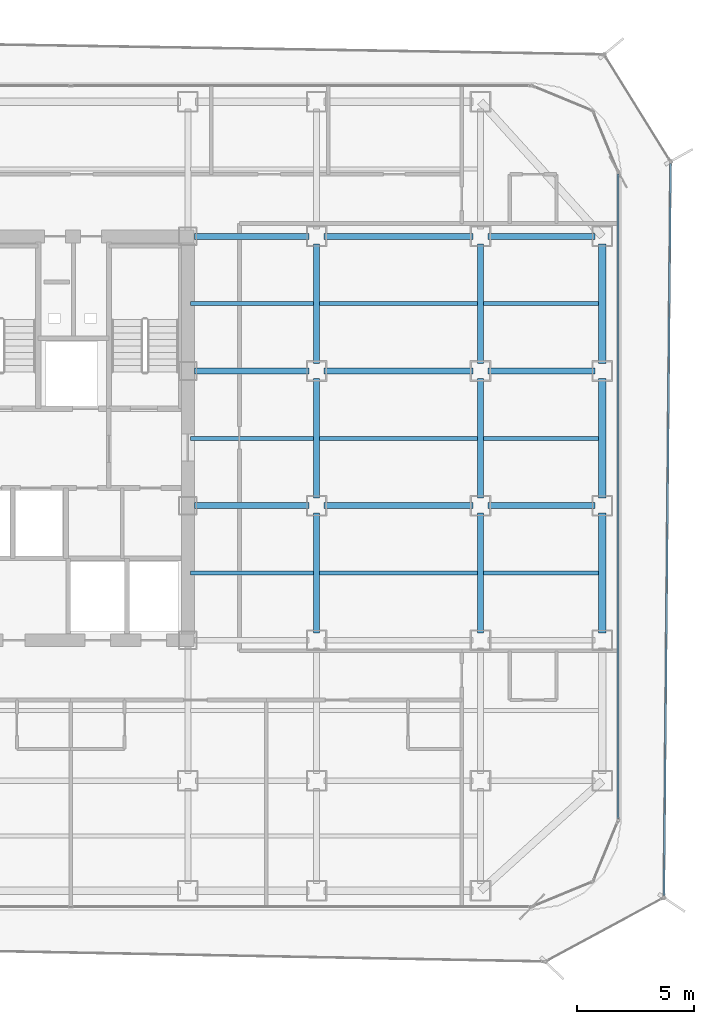
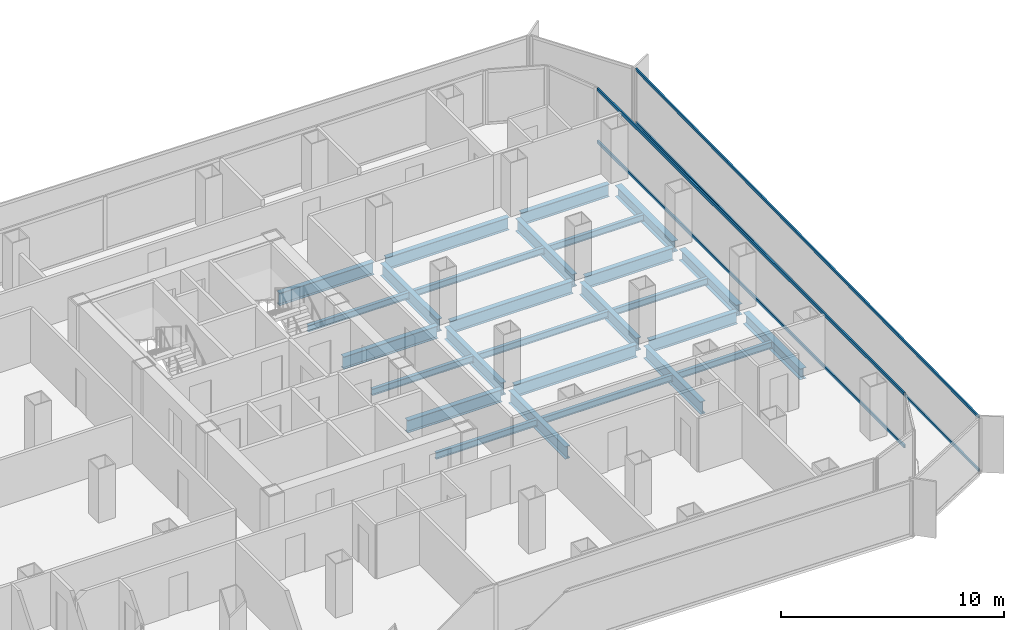
# One storey, part 9 of 21: 27 beams, 4 members, 2 elements without a shape of their own.
"""IFC4 building model written with IfcOpenShell, lengths in metres."""

from ifc_helpers import new_model, si_unit, direction, frame, origin, origin_2d, place, context, subcontext, project, spatial, hollow_rectangle, i_section, extrude, source, transform, mapped, material, layer, layer_set, material_profile, profile_set, type_object, element, aggregate, save


model = new_model("IFC4")

# Units and contexts
model_context = context("Model", 3, precision=1e-05, world=origin(), true_north=direction((0.0, 1.0)))
body_context = subcontext(model_context, "Body", "Model", "MODEL_VIEW")
ifc_project = project(units=[si_unit("LENGTHUNIT", "METRE"), si_unit("AREAUNIT", "SQUARE_METRE"), si_unit("VOLUMEUNIT", "CUBIC_METRE"), si_unit("PLANEANGLEUNIT", "RADIAN"), si_unit("MASSUNIT", "GRAM", prefix="KILO")], contexts=[model_context])

# Site, building, storey
site_placement = place(None, origin())
site = spatial("IfcSite", under=ifc_project, at=site_placement, CompositionType="ELEMENT")
building_placement = place(site_placement, origin())
building = spatial("IfcBuilding", under=site, at=building_placement, Name="Kolveth Station Tower", CompositionType="ELEMENT")
storey_placement = place(building_placement, frame((0.0, 0.0, 95.89990234375)))
storey = spatial("IfcBuildingStorey", under=building, at=storey_placement, Name="L25", CompositionType="ELEMENT", Elevation=95.89990234375)

# Beams
ifc_material_1 = material(Name="Steel S355", Category="steel")
ifc_material_profile_1 = material_profile(ifc_material_1, i_section(OverallWidth=0.323974609375, OverallDepth=0.611083984375, WebThickness=0.0126953125, FlangeThickness=0.01904296875, at=origin_2d()), Name="W610x155")
ifc_profile_set_1 = profile_set([ifc_material_profile_1], Name="Steel S355")
beam_type_1 = type_object("IfcBeamType", Name="Beam_SP2", PredefinedType="SPANDREL", material=ifc_profile_set_1)
shared_shape_1 = source(origin(), body_context, "Body", "SweptSolid", [
    extrude(i_section(OverallWidth=0.323974609375, OverallDepth=0.611083984375, WebThickness=0.0126953125, FlangeThickness=0.01904296875, at=origin_2d()), origin(), (0.0, 0.0, 1.0), 5.10986328125),
])
for number, where, z_axis, x_axis, name in (
    (1, (46.199951171875, 11.820068359375, -0.555419921875), (0.0, 1.0, 0.0), (-1.0, 0.0, 0.0), "L25 Perimeter Spandrel BM-L25-PE-2"),
    (2, (46.199951171875, 17.570068359375, -0.555419921875), (0.0, 1.0, 0.0), (-1.0, 0.0, 0.0), "L25 Perimeter Spandrel BM-L25-PE-3"),
    (3, (46.199951171875, 23.320068359375, -0.555419921875), (0.0, 1.0, 0.0), (-1.0, 0.0, 0.0), "L25 Perimeter Spandrel BM-L25-PE-4"),
):
    element("IfcBeam", number, at=place(storey_placement, frame(where, z_axis=z_axis, x_axis=x_axis)), inside=storey, type_object=beam_type_1, Name=name, PredefinedType="SPANDREL", context=body_context, shape_type="MappedRepresentation", body=[
        mapped(shared_shape_1, transform((0.0, 0.0, 0.0), x_axis=(1.0, 0.0, 0.0), y_axis=(0.0, 1.0, 0.0), z_axis=(0.0, 0.0, 1.0), scale=1.0)),
    ])
ifc_material_profile_2 = material_profile(ifc_material_1, i_section(OverallWidth=0.25390625, OverallDepth=0.68798828125, WebThickness=0.01318359375, FlangeThickness=0.02099609375, at=origin_2d()), Name="W690x152")
ifc_profile_set_2 = profile_set([ifc_material_profile_2], Name="Steel S355")
beam_type_2 = type_object("IfcBeamType", Name="Beam_B4", PredefinedType="BEAM", material=ifc_profile_set_2)
shared_shape_2 = source(origin(), body_context, "Body", "SweptSolid", [
    extrude(i_section(OverallWidth=0.25390625, OverallDepth=0.68798828125, WebThickness=0.01318359375, FlangeThickness=0.02099609375, at=origin_2d()), origin(), (0.0, 0.0, 1.0), 4.559814453125),
])
for number, where, z_axis, x_axis, name in (
    (4, (41.320068359375, 17.25, -0.593994140625), (1.0, 0.0, 0.0), (0.0, 1.0, 0.0), "L25 Primary Girder BM-L25-GY172-7"),
    (5, (41.320068359375, 23.0, -0.593994140625), (1.0, 0.0, 0.0), (0.0, 1.0, 0.0), "L25 Primary Girder BM-L25-GY230-7"),
    (6, (41.320068359375, 28.75, -0.593994140625), (1.0, 0.0, 0.0), (0.0, 1.0, 0.0), "L25 Primary Girder BM-L25-GY287-7"),
):
    element("IfcBeam", number, at=place(storey_placement, frame(where, z_axis=z_axis, x_axis=x_axis)), inside=storey, type_object=beam_type_2, Name=name, PredefinedType="BEAM", context=body_context, shape_type="MappedRepresentation", body=[
        mapped(shared_shape_2, transform((0.0, 0.0, 0.0), x_axis=(1.0, 0.0, 0.0), y_axis=(0.0, 1.0, 0.0), z_axis=(0.0, 0.0, 1.0), scale=1.0)),
    ])
shared_shape_3 = source(origin(), body_context, "Body", "SweptSolid", [
    extrude(i_section(OverallWidth=0.25390625, OverallDepth=0.68798828125, WebThickness=0.01318359375, FlangeThickness=0.02099609375, at=origin_2d()), origin(), (0.0, 0.0, 1.0), 6.35986328125),
])
for number, where, z_axis, x_axis, name in (
    (7, (34.320068359375, 17.25, -0.593994140625), (1.0, 0.0, 0.0), (0.0, 1.0, 0.0), "L25 Primary Girder BM-L25-GY172-6"),
    (8, (34.320068359375, 23.0, -0.593994140625), (1.0, 0.0, 0.0), (0.0, 1.0, 0.0), "L25 Primary Girder BM-L25-GY230-6"),
    (9, (34.320068359375, 28.75, -0.593994140625), (1.0, 0.0, 0.0), (0.0, 1.0, 0.0), "L25 Primary Girder BM-L25-GY287-6"),
):
    element("IfcBeam", number, at=place(storey_placement, frame(where, z_axis=z_axis, x_axis=x_axis)), inside=storey, type_object=beam_type_2, Name=name, PredefinedType="BEAM", context=body_context, shape_type="MappedRepresentation", body=[
        mapped(shared_shape_3, transform((0.0, 0.0, 0.0), x_axis=(1.0, 0.0, 0.0), y_axis=(0.0, 1.0, 0.0), z_axis=(0.0, 0.0, 1.0), scale=1.0)),
    ])
shared_shape_4 = source(origin(), body_context, "Body", "SweptSolid", [
    extrude(i_section(OverallWidth=0.25390625, OverallDepth=0.68798828125, WebThickness=0.01318359375, FlangeThickness=0.02099609375, at=origin_2d()), origin(), (0.0, 0.0, 1.0), 4.89990234375),
])
for number, where, z_axis, x_axis, name in (
    (10, (28.780029296875, 17.25, -0.593994140625), (1.0, 0.0, 0.0), (0.0, 1.0, 0.0), "L25 Primary Girder BM-L25-GY172-5"),
    (11, (28.780029296875, 23.0, -0.593994140625), (1.0, 0.0, 0.0), (0.0, 1.0, 0.0), "L25 Primary Girder BM-L25-GY230-5"),
    (12, (28.780029296875, 28.75, -0.593994140625), (1.0, 0.0, 0.0), (0.0, 1.0, 0.0), "L25 Primary Girder BM-L25-GY287-5"),
):
    element("IfcBeam", number, at=place(storey_placement, frame(where, z_axis=z_axis, x_axis=x_axis)), inside=storey, type_object=beam_type_2, Name=name, PredefinedType="BEAM", context=body_context, shape_type="MappedRepresentation", body=[
        mapped(shared_shape_4, transform((0.0, 0.0, 0.0), x_axis=(1.0, 0.0, 0.0), y_axis=(0.0, 1.0, 0.0), z_axis=(0.0, 0.0, 1.0), scale=1.0)),
    ])
shared_shape_5 = source(origin(), body_context, "Body", "SweptSolid", [
    extrude(i_section(OverallWidth=0.25390625, OverallDepth=0.68798828125, WebThickness=0.01318359375, FlangeThickness=0.02099609375, at=origin_2d()), origin(), (0.0, 0.0, 1.0), 5.10986328125),
])
for number, where, z_axis, x_axis, name in (
    (13, (34.0, 11.820068359375, -0.593994140625), (0.0, 1.0, 0.0), (-1.0, 0.0, 0.0), "L25 Primary Girder BM-L25-GX340-3"),
    (14, (34.0, 17.570068359375, -0.593994140625), (0.0, 1.0, 0.0), (-1.0, 0.0, 0.0), "L25 Primary Girder BM-L25-GX340-4"),
    (15, (34.0, 23.320068359375, -0.593994140625), (0.0, 1.0, 0.0), (-1.0, 0.0, 0.0), "L25 Primary Girder BM-L25-GX340-5"),
    (16, (41.0, 11.820068359375, -0.593994140625), (0.0, 1.0, 0.0), (-1.0, 0.0, 0.0), "L25 Primary Girder BM-L25-GX410-3"),
    (17, (41.0, 17.570068359375, -0.593994140625), (0.0, 1.0, 0.0), (-1.0, 0.0, 0.0), "L25 Primary Girder BM-L25-GX410-4"),
    (18, (41.0, 23.320068359375, -0.593994140625), (0.0, 1.0, 0.0), (-1.0, 0.0, 0.0), "L25 Primary Girder BM-L25-GX410-5"),
):
    element("IfcBeam", number, at=place(storey_placement, frame(where, z_axis=z_axis, x_axis=x_axis)), inside=storey, type_object=beam_type_2, Name=name, PredefinedType="BEAM", context=body_context, shape_type="MappedRepresentation", body=[
        mapped(shared_shape_5, transform((0.0, 0.0, 0.0), x_axis=(1.0, 0.0, 0.0), y_axis=(0.0, 1.0, 0.0), z_axis=(0.0, 0.0, 1.0), scale=1.0)),
    ])
ifc_material_profile_3 = material_profile(ifc_material_1, i_section(OverallWidth=0.1708984375, OverallDepth=0.35205078125, WebThickness=0.0068359375, FlangeThickness=0.009765625, at=origin_2d()), Name="W360x44")
ifc_profile_set_3 = profile_set([ifc_material_profile_3], Name="Steel S355")
beam_type_3 = type_object("IfcBeamType", Name="Beam_J2", PredefinedType="JOIST", material=ifc_profile_set_3)
shared_shape_6 = source(origin(), body_context, "Body", "SweptSolid", [
    extrude(i_section(OverallWidth=0.1708984375, OverallDepth=0.35205078125, WebThickness=0.0068359375, FlangeThickness=0.009765625, at=origin_2d()), origin(), (0.0, 0.0, 1.0), 4.9150390625),
])
for number, where, z_axis, x_axis, name in (
    (19, (41.125, 14.375, -0.42578125), (1.0, 0.0, 0.0), (0.0, 1.0, 0.0), "L25 Secondary Joist JST-L25-7-3"),
    (20, (41.125, 20.125, -0.42578125), (1.0, 0.0, 0.0), (0.0, 1.0, 0.0), "L25 Secondary Joist JST-L25-7-4"),
    (21, (41.125, 25.875, -0.42578125), (1.0, 0.0, 0.0), (0.0, 1.0, 0.0), "L25 Secondary Joist JST-L25-7-5"),
):
    element("IfcBeam", number, at=place(storey_placement, frame(where, z_axis=z_axis, x_axis=x_axis)), inside=storey, type_object=beam_type_3, Name=name, PredefinedType="JOIST", context=body_context, shape_type="MappedRepresentation", body=[
        mapped(shared_shape_6, transform((0.0, 0.0, 0.0), x_axis=(1.0, 0.0, 0.0), y_axis=(0.0, 1.0, 0.0), z_axis=(0.0, 0.0, 1.0), scale=1.0)),
    ])
shared_shape_7 = source(origin(), body_context, "Body", "SweptSolid", [
    extrude(i_section(OverallWidth=0.1708984375, OverallDepth=0.35205078125, WebThickness=0.0068359375, FlangeThickness=0.009765625, at=origin_2d()), origin(), (0.0, 0.0, 1.0), 6.75),
])
for number, where, z_axis, x_axis, name in (
    (22, (34.125, 14.375, -0.42578125), (1.0, 0.0, 0.0), (0.0, 1.0, 0.0), "L25 Secondary Joist JST-L25-6-3"),
    (23, (34.125, 20.125, -0.42578125), (1.0, 0.0, 0.0), (0.0, 1.0, 0.0), "L25 Secondary Joist JST-L25-6-4"),
    (24, (34.125, 25.875, -0.42578125), (1.0, 0.0, 0.0), (0.0, 1.0, 0.0), "L25 Secondary Joist JST-L25-6-5"),
):
    element("IfcBeam", number, at=place(storey_placement, frame(where, z_axis=z_axis, x_axis=x_axis)), inside=storey, type_object=beam_type_3, Name=name, PredefinedType="JOIST", context=body_context, shape_type="MappedRepresentation", body=[
        mapped(shared_shape_7, transform((0.0, 0.0, 0.0), x_axis=(1.0, 0.0, 0.0), y_axis=(0.0, 1.0, 0.0), z_axis=(0.0, 0.0, 1.0), scale=1.0)),
    ])
shared_shape_8 = source(origin(), body_context, "Body", "SweptSolid", [
    extrude(i_section(OverallWidth=0.1708984375, OverallDepth=0.35205078125, WebThickness=0.0068359375, FlangeThickness=0.009765625, at=origin_2d()), origin(), (0.0, 0.0, 1.0), 5.25),
])
for number, where, z_axis, x_axis, name in (
    (25, (28.625, 14.375, -0.42578125), (1.0, 0.0, 0.0), (0.0, 1.0, 0.0), "L25 Secondary Joist JST-L25-5-3"),
    (26, (28.625, 20.125, -0.42578125), (1.0, 0.0, 0.0), (0.0, 1.0, 0.0), "L25 Secondary Joist JST-L25-5-4"),
    (27, (28.625, 25.875, -0.42578125), (1.0, 0.0, 0.0), (0.0, 1.0, 0.0), "L25 Secondary Joist JST-L25-5-5"),
):
    element("IfcBeam", number, at=place(storey_placement, frame(where, z_axis=z_axis, x_axis=x_axis)), inside=storey, type_object=beam_type_3, Name=name, PredefinedType="JOIST", context=body_context, shape_type="MappedRepresentation", body=[
        mapped(shared_shape_8, transform((0.0, 0.0, 0.0), x_axis=(1.0, 0.0, 0.0), y_axis=(0.0, 1.0, 0.0), z_axis=(0.0, 0.0, 1.0), scale=1.0)),
    ])

# Curtain wall, members
ifc_material_2 = material(Name="Aluminium 6063-T6 and low-E dark glass", Category="aluminium")
ifc_layer_1 = layer(ifc_material_2, 0.18994140625)
ifc_layer_set_1 = layer_set([ifc_layer_1], Name="Aluminium 6063-T6 and low-E dark glass")
curtain_wall_type_1 = type_object("IfcCurtainWallType", Name="CurtainWall_CW-Z2", PredefinedType="NOTDEFINED", material=ifc_layer_set_1)
curtain_wall_1_placement = place(storey_placement, origin())
curtain_wall_1 = element("IfcCurtainWall", 28, at=curtain_wall_1_placement, inside=storey, type_object=curtain_wall_type_1, Name="L25 Inner Thermal Curtain Wall 3", PredefinedType="NOTDEFINED")
ifc_material_3 = material(Name="Black anodized aluminium 6063-T6", Category="aluminium")
ifc_material_profile_4 = material_profile(ifc_material_3, hollow_rectangle(XDim=0.080078125, YDim=0.169921875, WallThickness=0.0048828125, at=origin_2d()), Name="ALU-80x170x5")
ifc_profile_set_4 = profile_set([ifc_material_profile_4], Name="Black anodized aluminium 6063-T6")
member_type_1 = type_object("IfcMemberType", Name="Transom_TR2", PredefinedType="USERDEFINED", material=ifc_profile_set_4)
shared_shape_9 = source(origin(), body_context, "Body", "SweptSolid", [
    extrude(hollow_rectangle(XDim=0.080078125, YDim=0.169921875, WallThickness=0.0048828125, at=origin_2d()), origin(), (0.0, 0.0, 1.0), 27.5400390625),
])
member_1_placement = place(storey_placement, frame((46.8798828125, 3.8798828125, 0.0400390625), z_axis=(0.0, 1.0, 0.0), x_axis=(-1.0, 0.0, 0.0)))
member_1 = element("IfcMember", 29, at=member_1_placement, type_object=member_type_1, Name="CW-Z2 transom 1.1", ObjectType="TRANSOM", PredefinedType="USERDEFINED", context=body_context, shape_type="MappedRepresentation", body=[
    mapped(shared_shape_9, transform((0.0, 0.0, 0.0), x_axis=(1.0, 0.0, 0.0), y_axis=(0.0, 1.0, 0.0), z_axis=(0.0, 0.0, 1.0), scale=1.0)),
])
member_2_placement = place(storey_placement, frame((46.8798828125, 3.8798828125, 2.91015625), z_axis=(0.0, 1.0, 0.0), x_axis=(-1.0, 0.0, 0.0)))
member_2 = element("IfcMember", 30, at=member_2_placement, type_object=member_type_1, Name="CW-Z2 transom 1.2", ObjectType="TRANSOM", PredefinedType="USERDEFINED", context=body_context, shape_type="MappedRepresentation", body=[
    mapped(shared_shape_9, transform((0.0, 0.0, 0.0), x_axis=(1.0, 0.0, 0.0), y_axis=(0.0, 1.0, 0.0), z_axis=(0.0, 0.0, 1.0), scale=1.0)),
])
aggregate(curtain_wall_1, [member_1, member_2])

ifc_material_4 = material(Name="Black anodized aluminium 6063-T6 and dark solar glass", Category="aluminium")
ifc_layer_2 = layer(ifc_material_4, 0.159912109375)
ifc_layer_set_2 = layer_set([ifc_layer_2], Name="Black anodized aluminium 6063-T6 and dark solar glass")
curtain_wall_type_2 = type_object("IfcCurtainWallType", Name="OUTER SKIN CW-OS", PredefinedType="NOTDEFINED", material=ifc_layer_set_2)
curtain_wall_2_placement = place(storey_placement, origin())
curtain_wall_2 = element("IfcCurtainWall", 31, at=curtain_wall_2_placement, inside=storey, type_object=curtain_wall_type_2, Name="L25 Outer Ventilated Skin Curtain Wall 2", PredefinedType="NOTDEFINED")
ifc_material_profile_5 = material_profile(ifc_material_3, hollow_rectangle(XDim=0.080078125, YDim=0.14990234375, WallThickness=0.0048828125, at=origin_2d()), Name="ALU-80x150x5")
ifc_profile_set_5 = profile_set([ifc_material_profile_5], Name="Black anodized aluminium 6063-T6")
member_type_2 = type_object("IfcMemberType", Name="Transom_TR-OS", PredefinedType="USERDEFINED", material=ifc_profile_set_5)
shared_shape_10 = source(origin(), body_context, "Body", "SweptSolid", [
    extrude(hollow_rectangle(XDim=0.080078125, YDim=0.14990234375, WallThickness=0.0048828125, at=origin_2d()), origin(), (0.0, 0.0, 1.0), 31.257080078125),
])
member_3_placement = place(storey_placement, frame((48.833984375, 0.6005859375, 0.0400390625), z_axis=(0.009068239258, 0.999958882673, 0.0), x_axis=(-0.999958882673, 0.009068239258, 0.0)))
member_3 = element("IfcMember", 32, at=member_3_placement, type_object=member_type_2, Name="CW-OS transom 1.1", ObjectType="TRANSOM", PredefinedType="USERDEFINED", context=body_context, shape_type="MappedRepresentation", body=[
    mapped(shared_shape_10, transform((0.0, 0.0, 0.0), x_axis=(1.0, 0.0, 0.0), y_axis=(0.0, 1.0, 0.0), z_axis=(0.0, 0.0, 1.0), scale=1.0)),
])
member_4_placement = place(storey_placement, frame((48.833984375, 0.6005859375, 2.9501953125), z_axis=(0.009068239258, 0.999958882673, 0.0), x_axis=(-0.999958882673, 0.009068239258, 0.0)))
member_4 = element("IfcMember", 33, at=member_4_placement, type_object=member_type_2, Name="CW-OS transom 1.2", ObjectType="TRANSOM", PredefinedType="USERDEFINED", context=body_context, shape_type="MappedRepresentation", body=[
    mapped(shared_shape_10, transform((0.0, 0.0, 0.0), x_axis=(1.0, 0.0, 0.0), y_axis=(0.0, 1.0, 0.0), z_axis=(0.0, 0.0, 1.0), scale=1.0)),
])
aggregate(curtain_wall_2, [member_3, member_4])

save(model, "model.ifc")
